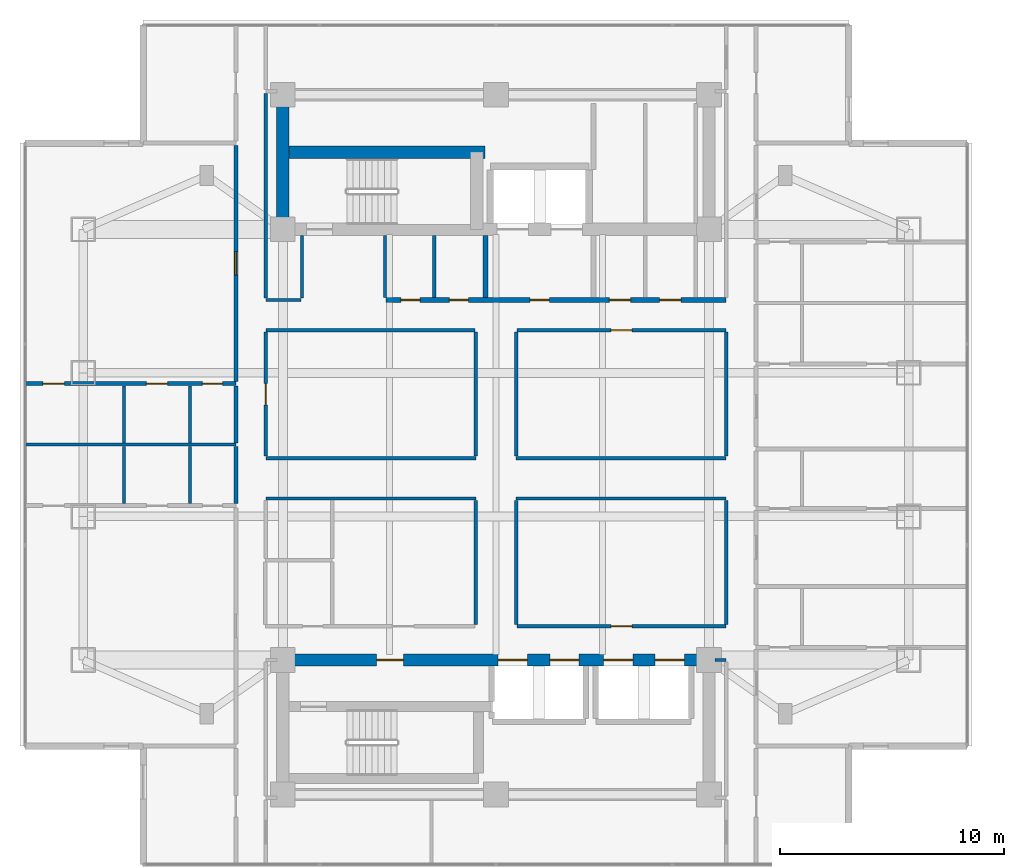
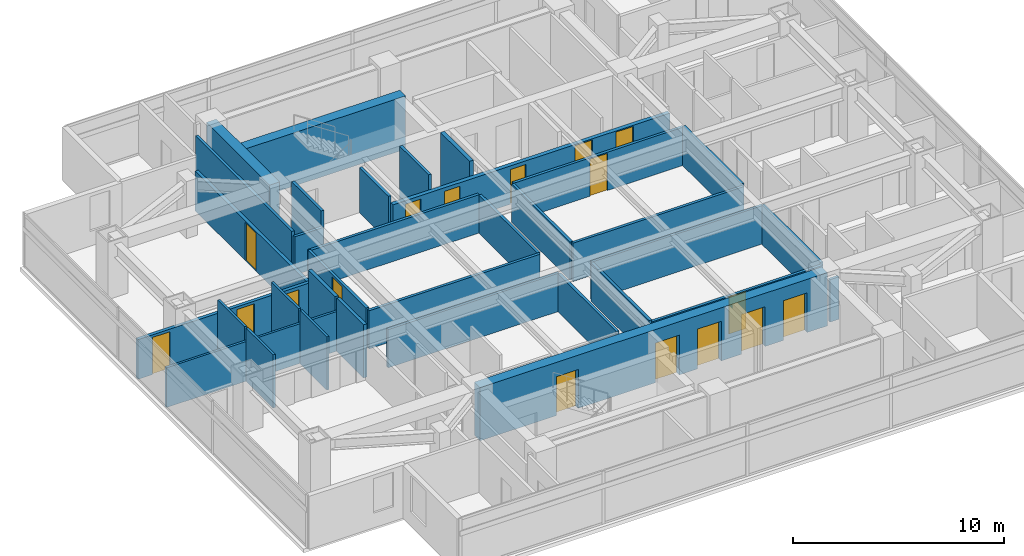
# One storey, part 14 of 25: 34 walls, 17 doors, 17 openings.
"""IFC4 building model written with IfcOpenShell, lengths in metres."""

from ifc_helpers import new_model, si_unit, direction, frame, frame_2d, origin, place, context, subcontext, project, spatial, rectangle, extrude, material, layer, layer_set, type_object, element, fill, save


model = new_model("IFC4")

# Units and contexts
model_context = context("Model", 3, precision=1e-05, world=origin(), true_north=direction((0.0, 1.0)))
body_context = subcontext(model_context, "Body", "Model", "MODEL_VIEW")
ifc_project = project(units=[si_unit("LENGTHUNIT", "METRE"), si_unit("AREAUNIT", "SQUARE_METRE"), si_unit("VOLUMEUNIT", "CUBIC_METRE"), si_unit("PLANEANGLEUNIT", "RADIAN"), si_unit("MASSUNIT", "GRAM", prefix="KILO")], contexts=[model_context])

# Site, building, storey
site_placement = place(None, origin())
site = spatial("IfcSite", under=ifc_project, at=site_placement, CompositionType="ELEMENT")
building_placement = place(site_placement, origin())
building = spatial("IfcBuilding", under=site, at=building_placement, Name="Mirazonda Arch Towers", CompositionType="ELEMENT")
storey_placement = place(building_placement, frame((0.0, 0.0, 131.300048828125)))
storey = spatial("IfcBuildingStorey", under=building, at=storey_placement, Name="L37", CompositionType="ELEMENT", Elevation=131.300048828125)

# Walls
ifc_material_1 = material(Name="Concrete C50/60", Category="concrete")
ifc_layer_1 = layer(ifc_material_1, 0.550048828125, Name="WALL-CORE-550")
ifc_layer_set_1 = layer_set([ifc_layer_1], Name="Concrete C50/60")
wall_type_1 = type_object("IfcWallType", Name="WALL-CORE-550", PredefinedType="SHEAR", material=ifc_layer_set_1)
wall_1_placement = place(storey_placement, frame((11.0, 37.60009765625, 0.0), z_axis=(0.0, 0.0, 1.0), x_axis=(0.0, 1.0, 0.0)))
element("IfcWall", 1, at=wall_1_placement, inside=storey, type_object=wall_type_1, Name="L37 T1N-W Core Shear Wall", PredefinedType="SHEAR", context=body_context, shape_type="SweptSolid", body=[
    extrude(rectangle(XDim=6.0, YDim=0.550048828125, at=frame_2d((3.0, 0.0))), origin(), (0.0, 0.0, 1.0), 3.079833984375),
])
wall_2_placement = place(storey_placement, frame((11.0, 41.04296875, 0.0), z_axis=(0.0, 0.0, 1.0), x_axis=(1.0, 0.0, 0.0)))
element("IfcWall", 2, at=wall_2_placement, inside=storey, type_object=wall_type_1, Name="L37 T1N-STN Core Shear Wall", PredefinedType="SHEAR", context=body_context, shape_type="SweptSolid", body=[
    extrude(rectangle(XDim=9.0, YDim=0.550048828125, at=frame_2d((4.5, 0.0))), origin(), (0.0, 0.0, 1.0), 3.079833984375),
])

# Wall, openings, doors
wall_3_placement = place(storey_placement, frame((11.0, 18.39990234375, 0.0), z_axis=(0.0, 0.0, 1.0), x_axis=(1.0, 0.0, 0.0)))
wall_3 = element("IfcWall", 3, at=wall_3_placement, inside=storey, type_object=wall_type_1, Name="L37 T1S-N Core Shear Wall", PredefinedType="SHEAR", context=body_context, shape_type="SweptSolid", body=[
    extrude(rectangle(XDim=19.0, YDim=0.550048828125, at=frame_2d((9.5, 0.0))), origin(), (0.0, 0.0, 1.0), 3.079833984375),
])
opening_1_placement = place(wall_3_placement, frame((4.175048828125, 0.0, 0.0)))
opening_1 = element("IfcOpeningElement", 4, at=opening_1_placement, cuts=wall_3, Name="Opening DR-117", PredefinedType="OPENING", context=body_context, shape_type="SweptSolid", body=[
    extrude(rectangle(XDim=1.199951171875, YDim=2.25, at=frame_2d((0.60009765625, 1.125))), frame((0.0, 0.284912109375, 0.0), z_axis=(0.0, -1.0, 0.0), x_axis=(1.0, 0.0, 0.0)), (0.0, 0.0, 1.0), 0.570068359375),
])
opening_2_placement = place(wall_3_placement, frame((9.60009765625, 0.0, 0.0)))
opening_2 = element("IfcOpeningElement", 5, at=opening_2_placement, cuts=wall_3, Name="Opening LD-111", PredefinedType="OPENING", context=body_context, shape_type="SweptSolid", body=[
    extrude(rectangle(XDim=1.300048828125, YDim=2.300048828125, at=frame_2d((0.64990234375, 1.14990234375))), frame((0.0, 0.284912109375, 0.0), z_axis=(0.0, -1.0, 0.0), x_axis=(1.0, 0.0, 0.0)), (0.0, 0.0, 1.0), 0.570068359375),
])
opening_3_placement = place(wall_3_placement, frame((11.89990234375, 0.0, 0.0)))
opening_3 = element("IfcOpeningElement", 6, at=opening_3_placement, cuts=wall_3, Name="Opening LD-111", PredefinedType="OPENING", context=body_context, shape_type="SweptSolid", body=[
    extrude(rectangle(XDim=1.300048828125, YDim=2.300048828125, at=frame_2d((0.64990234375, 1.14990234375))), frame((0.0, 0.284912109375, 0.0), z_axis=(0.0, -1.0, 0.0), x_axis=(1.0, 0.0, 0.0)), (0.0, 0.0, 1.0), 0.570068359375),
])
opening_4_placement = place(wall_3_placement, frame((14.300048828125, 0.0, 0.0)))
opening_4 = element("IfcOpeningElement", 7, at=opening_4_placement, cuts=wall_3, Name="Opening LD-111", PredefinedType="OPENING", context=body_context, shape_type="SweptSolid", body=[
    extrude(rectangle(XDim=1.300048828125, YDim=2.300048828125, at=frame_2d((0.64990234375, 1.14990234375))), frame((0.0, 0.284912109375, 0.0), z_axis=(0.0, -1.0, 0.0), x_axis=(1.0, 0.0, 0.0)), (0.0, 0.0, 1.0), 0.570068359375),
])
opening_5_placement = place(wall_3_placement, frame((16.60009765625, 0.0, 0.0)))
opening_5 = element("IfcOpeningElement", 8, at=opening_5_placement, cuts=wall_3, Name="Opening LD-111", PredefinedType="OPENING", context=body_context, shape_type="SweptSolid", body=[
    extrude(rectangle(XDim=1.300048828125, YDim=2.300048828125, at=frame_2d((0.64990234375, 1.14990234375))), frame((0.0, 0.284912109375, 0.0), z_axis=(0.0, -1.0, 0.0), x_axis=(1.0, 0.0, 0.0)), (0.0, 0.0, 1.0), 0.570068359375),
])
ifc_material_2 = material(Name="Architectural Brushed Steel S355", Category="steel")
door_type_1 = type_object("IfcDoorType", Name="DOOR-FFL-FD90-1200", OperationType="NOTDEFINED", PredefinedType="DOOR", material=ifc_material_2)
door_1_placement = place(opening_1_placement, origin())
door_1 = element("IfcDoor", 9, at=door_1_placement, inside=storey, type_object=door_type_1, Name="L37 South Core Stair & Lift Lobby Door", OperationType="SINGLE_SWING_LEFT", OverallHeight=2.25, OverallWidth=1.199951171875, PredefinedType="DOOR", context=body_context, shape_type="SweptSolid", body=[
    extrude(rectangle(XDim=1.199951171875, YDim=2.25, at=frame_2d((0.60009765625, 1.125))), frame((0.0, 0.02490234375, 0.0), z_axis=(0.0, -1.0, 0.0), x_axis=(1.0, 0.0, 0.0)), (0.0, 0.0, 1.0), 0.050048828125),
])
fill(opening_1, door_1)
door_type_2 = type_object("IfcDoorType", Name="DOOR-LIFT-LAND-1300", OperationType="NOTDEFINED", PredefinedType="DOOR", material=ifc_material_2)
door_2_placement = place(opening_2_placement, origin())
door_2 = element("IfcDoor", 10, at=door_2_placement, inside=storey, type_object=door_type_2, Name="L37 Lift Landing Sliding Door PL-T1M1", OperationType="DOUBLE_DOOR_SLIDING", OverallHeight=2.300048828125, OverallWidth=1.300048828125, PredefinedType="DOOR", context=body_context, shape_type="SweptSolid", body=[
    extrude(rectangle(XDim=1.300048828125, YDim=2.300048828125, at=frame_2d((0.64990234375, 1.14990234375))), frame((0.0, 0.02490234375, 0.0), z_axis=(0.0, -1.0, 0.0), x_axis=(1.0, 0.0, 0.0)), (0.0, 0.0, 1.0), 0.050048828125),
])
fill(opening_2, door_2)
door_3_placement = place(opening_3_placement, origin())
door_3 = element("IfcDoor", 11, at=door_3_placement, inside=storey, type_object=door_type_2, Name="L37 Lift Landing Sliding Door PL-T1M2", OperationType="DOUBLE_DOOR_SLIDING", OverallHeight=2.300048828125, OverallWidth=1.300048828125, PredefinedType="DOOR", context=body_context, shape_type="SweptSolid", body=[
    extrude(rectangle(XDim=1.300048828125, YDim=2.300048828125, at=frame_2d((0.64990234375, 1.14990234375))), frame((0.0, 0.02490234375, 0.0), z_axis=(0.0, -1.0, 0.0), x_axis=(1.0, 0.0, 0.0)), (0.0, 0.0, 1.0), 0.050048828125),
])
fill(opening_3, door_3)
door_4_placement = place(opening_4_placement, origin())
door_4 = element("IfcDoor", 12, at=door_4_placement, inside=storey, type_object=door_type_2, Name="L37 Lift Landing Sliding Door PL-T1H1", OperationType="DOUBLE_DOOR_SLIDING", OverallHeight=2.300048828125, OverallWidth=1.300048828125, PredefinedType="DOOR", context=body_context, shape_type="SweptSolid", body=[
    extrude(rectangle(XDim=1.300048828125, YDim=2.300048828125, at=frame_2d((0.64990234375, 1.14990234375))), frame((0.0, 0.02490234375, 0.0), z_axis=(0.0, -1.0, 0.0), x_axis=(1.0, 0.0, 0.0)), (0.0, 0.0, 1.0), 0.050048828125),
])
fill(opening_4, door_4)
door_5_placement = place(opening_5_placement, origin())
door_5 = element("IfcDoor", 13, at=door_5_placement, inside=storey, type_object=door_type_2, Name="L37 Lift Landing Sliding Door PL-T1H2", OperationType="DOUBLE_DOOR_SLIDING", OverallHeight=2.300048828125, OverallWidth=1.300048828125, PredefinedType="DOOR", context=body_context, shape_type="SweptSolid", body=[
    extrude(rectangle(XDim=1.300048828125, YDim=2.300048828125, at=frame_2d((0.64990234375, 1.14990234375))), frame((0.0, 0.02490234375, 0.0), z_axis=(0.0, -1.0, 0.0), x_axis=(1.0, 0.0, 0.0)), (0.0, 0.0, 1.0), 0.050048828125),
])
fill(opening_5, door_5)

ifc_material_3 = material(Name="Concrete C40/50", Category="concrete")
ifc_layer_2 = layer(ifc_material_3, 0.219970703125, Name="WALL-FFL-220")
ifc_layer_set_2 = layer_set([ifc_layer_2], Name="Concrete C40/50")
wall_type_2 = type_object("IfcWallType", Name="WALL-FFL-220", PredefinedType="SOLIDWALL", material=ifc_layer_set_2)
wall_4_placement = place(storey_placement, frame((15.590087890625, 34.449951171875, 0.0), z_axis=(0.0, 0.0, 1.0), x_axis=(1.0, 0.0, 0.0)))
wall_4 = element("IfcWall", 14, at=wall_4_placement, inside=storey, type_object=wall_type_2, Name="L37 Interior Partition 048", PredefinedType="SOLIDWALL", context=body_context, shape_type="SweptSolid", body=[
    extrude(rectangle(XDim=15.169921875, YDim=0.219970703125, at=frame_2d((7.5849609375, 0.0))), origin(), (0.0, 0.0, 1.0), 2.216064453125),
])
opening_6_placement = place(wall_4_placement, frame((6.43505859375, 0.0, 0.0)))
opening_6 = element("IfcOpeningElement", 15, at=opening_6_placement, cuts=wall_4, Name="Opening DR-128", PredefinedType="OPENING", context=body_context, shape_type="SweptSolid", body=[
    extrude(rectangle(XDim=0.85009765625, YDim=2.010009765625, at=frame_2d((0.425048828125, 1.0048828125))), frame((0.0, 0.119873046875, 0.0), z_axis=(0.0, -1.0, 0.0), x_axis=(1.0, 0.0, 0.0)), (0.0, 0.0, 1.0), 0.239990234375),
])
opening_7_placement = place(wall_4_placement, frame((9.9599609375, 0.0, 0.0)))
opening_7 = element("IfcOpeningElement", 16, at=opening_7_placement, cuts=wall_4, Name="Opening DR-104", PredefinedType="OPENING", context=body_context, shape_type="SweptSolid", body=[
    extrude(rectangle(XDim=0.949951171875, YDim=2.14990234375, at=frame_2d((0.47509765625, 1.074951171875))), frame((0.0, 0.119873046875, 0.0), z_axis=(0.0, -1.0, 0.0), x_axis=(1.0, 0.0, 0.0)), (0.0, 0.0, 1.0), 0.239990234375),
])
opening_8_placement = place(wall_4_placement, frame((12.2099609375, 0.0, 0.0)))
opening_8 = element("IfcOpeningElement", 17, at=opening_8_placement, cuts=wall_4, Name="Opening DR-104", PredefinedType="OPENING", context=body_context, shape_type="SweptSolid", body=[
    extrude(rectangle(XDim=0.949951171875, YDim=2.14990234375, at=frame_2d((0.47509765625, 1.074951171875))), frame((0.0, 0.119873046875, 0.0), z_axis=(0.0, -1.0, 0.0), x_axis=(1.0, 0.0, 0.0)), (0.0, 0.0, 1.0), 0.239990234375),
])
opening_9_placement = place(wall_4_placement, frame((0.675048828125, 0.0, 0.0)))
opening_9 = element("IfcOpeningElement", 18, at=opening_9_placement, cuts=wall_4, Name="Opening DR-128", PredefinedType="OPENING", context=body_context, shape_type="SweptSolid", body=[
    extrude(rectangle(XDim=0.85009765625, YDim=2.010009765625, at=frame_2d((0.425048828125, 1.0048828125))), frame((0.0, 0.119873046875, 0.0), z_axis=(0.0, -1.0, 0.0), x_axis=(1.0, 0.0, 0.0)), (0.0, 0.0, 1.0), 0.239990234375),
])
opening_10_placement = place(wall_4_placement, frame((2.8349609375, 0.0, 0.0)))
opening_10 = element("IfcOpeningElement", 19, at=opening_10_placement, cuts=wall_4, Name="Opening DR-128", PredefinedType="OPENING", context=body_context, shape_type="SweptSolid", body=[
    extrude(rectangle(XDim=0.85009765625, YDim=2.010009765625, at=frame_2d((0.425048828125, 1.0048828125))), frame((0.0, 0.119873046875, 0.0), z_axis=(0.0, -1.0, 0.0), x_axis=(1.0, 0.0, 0.0)), (0.0, 0.0, 1.0), 0.239990234375),
])
door_type_3 = type_object("IfcDoorType", Name="DOOR-RISER-FD60-850", OperationType="NOTDEFINED", PredefinedType="DOOR", material=ifc_material_2)
door_6_placement = place(opening_6_placement, origin())
door_6 = element("IfcDoor", 20, at=door_6_placement, inside=storey, type_object=door_type_3, Name="L37 Firefighting Lift Lobby Door", OperationType="SINGLE_SWING_RIGHT", OverallHeight=2.010009765625, OverallWidth=0.85009765625, PredefinedType="DOOR", context=body_context, shape_type="SweptSolid", body=[
    extrude(rectangle(XDim=0.85009765625, YDim=2.010009765625, at=frame_2d((0.425048828125, 1.0048828125))), frame((0.0, 0.02490234375, 0.0), z_axis=(0.0, -1.0, 0.0), x_axis=(1.0, 0.0, 0.0)), (0.0, 0.0, 1.0), 0.050048828125),
])
fill(opening_6, door_6)
door_7_placement = place(opening_9_placement, origin())
door_7 = element("IfcDoor", 21, at=door_7_placement, inside=storey, type_object=door_type_3, Name="L37 Electrical Room Door", OperationType="SINGLE_SWING_LEFT", OverallHeight=2.010009765625, OverallWidth=0.85009765625, PredefinedType="DOOR", context=body_context, shape_type="SweptSolid", body=[
    extrude(rectangle(XDim=0.85009765625, YDim=2.010009765625, at=frame_2d((0.425048828125, 1.0048828125))), frame((0.0, 0.02490234375, 0.0), z_axis=(0.0, -1.0, 0.0), x_axis=(1.0, 0.0, 0.0)), (0.0, 0.0, 1.0), 0.050048828125),
])
fill(opening_9, door_7)
door_8_placement = place(opening_10_placement, origin())
door_8 = element("IfcDoor", 22, at=door_8_placement, inside=storey, type_object=door_type_3, Name="L37 Cleaners & Housekeeping Store Door", OperationType="SINGLE_SWING_RIGHT", OverallHeight=2.010009765625, OverallWidth=0.85009765625, PredefinedType="DOOR", context=body_context, shape_type="SweptSolid", body=[
    extrude(rectangle(XDim=0.85009765625, YDim=2.010009765625, at=frame_2d((0.425048828125, 1.0048828125))), frame((0.0, 0.02490234375, 0.0), z_axis=(0.0, -1.0, 0.0), x_axis=(1.0, 0.0, 0.0)), (0.0, 0.0, 1.0), 0.050048828125),
])
fill(opening_10, door_8)
door_type_4 = type_object("IfcDoorType", Name="DOOR-ROOM-950", OperationType="NOTDEFINED", PredefinedType="DOOR", material=ifc_material_2)
door_9_placement = place(opening_7_placement, origin())
door_9 = element("IfcDoor", 23, at=door_9_placement, inside=storey, type_object=door_type_4, Name="L37 Executive Reading Library Door", OperationType="SINGLE_SWING_LEFT", OverallHeight=2.14990234375, OverallWidth=0.949951171875, PredefinedType="DOOR", context=body_context, shape_type="SweptSolid", body=[
    extrude(rectangle(XDim=0.949951171875, YDim=2.14990234375, at=frame_2d((0.47509765625, 1.074951171875))), frame((0.0, 0.02490234375, 0.0), z_axis=(0.0, -1.0, 0.0), x_axis=(1.0, 0.0, 0.0)), (0.0, 0.0, 1.0), 0.050048828125),
])
fill(opening_7, door_9)
door_10_placement = place(opening_8_placement, origin())
door_10 = element("IfcDoor", 24, at=door_10_placement, inside=storey, type_object=door_type_4, Name="L37 Private Quiet Study Door", OperationType="SINGLE_SWING_RIGHT", OverallHeight=2.14990234375, OverallWidth=0.949951171875, PredefinedType="DOOR", context=body_context, shape_type="SweptSolid", body=[
    extrude(rectangle(XDim=0.949951171875, YDim=2.14990234375, at=frame_2d((0.47509765625, 1.074951171875))), frame((0.0, 0.02490234375, 0.0), z_axis=(0.0, -1.0, 0.0), x_axis=(1.0, 0.0, 0.0)), (0.0, 0.0, 1.0), 0.050048828125),
])
fill(opening_8, door_10)

# Walls
wall_5_placement = place(storey_placement, frame((20.02490234375, 34.570068359375, 0.0), z_axis=(0.0, 0.0, 1.0), x_axis=(0.0, 1.0, 0.0)))
element("IfcWall", 25, at=wall_5_placement, inside=storey, type_object=wall_type_2, Name="L37 Interior Partition 088", PredefinedType="SOLIDWALL", context=body_context, shape_type="SweptSolid", body=[
    extrude(rectangle(XDim=2.760009765625, YDim=0.219970703125, at=frame_2d((1.3798828125, 0.0))), origin(), (0.0, 0.0, 1.0), 3.079833984375),
])
ifc_material_4 = material(Name="Fire-Rated Gypsum Stud Partition")
ifc_layer_3 = layer(ifc_material_4, 0.14990234375, Name="WALL-PART-CORR-150")
ifc_layer_set_3 = layer_set([ifc_layer_3], Name="Fire-Rated Gypsum Stud Partition")
wall_type_3 = type_object("IfcWallType", Name="WALL-PART-CORR-150", PredefinedType="PARTITIONING", material=ifc_layer_set_3)
wall_6_placement = place(storey_placement, frame((30.27001953125, 18.39990234375, 0.0), z_axis=(0.0, 0.0, 1.0), x_axis=(1.0, 0.0, 0.0)))
element("IfcWall", 26, at=wall_6_placement, inside=storey, type_object=wall_type_3, Name="L37 Interior Partition 013", PredefinedType="PARTITIONING", context=body_context, shape_type="SweptSolid", body=[
    extrude(rectangle(XDim=0.489990234375, YDim=0.14990234375, at=frame_2d((0.2451171875, 0.0))), origin(), (0.0, 0.0, 1.0), 2.4560546875),
])

# Wall, opening, door
wall_7_placement = place(storey_placement, frame((21.43994140625, 19.89990234375, 0.0), z_axis=(0.0, 0.0, 1.0), x_axis=(1.0, 0.0, 0.0)))
wall_7 = element("IfcWall", 27, at=wall_7_placement, inside=storey, type_object=wall_type_3, Name="L37 Interior Partition 017", PredefinedType="PARTITIONING", context=body_context, shape_type="SweptSolid", body=[
    extrude(rectangle(XDim=9.320068359375, YDim=0.14990234375, at=frame_2d((4.66015625, 0.0))), origin(), (0.0, 0.0, 1.0), 2.216064453125),
])
opening_11_placement = place(wall_7_placement, frame((4.18505859375, 0.0, 0.0)))
opening_11 = element("IfcOpeningElement", 28, at=opening_11_placement, cuts=wall_7, Name="Opening DR-104", PredefinedType="OPENING", context=body_context, shape_type="SweptSolid", body=[
    extrude(rectangle(XDim=0.949951171875, YDim=2.14990234375, at=frame_2d((0.47509765625, 1.074951171875))), frame((0.0, 0.0849609375, 0.0), z_axis=(0.0, -1.0, 0.0), x_axis=(1.0, 0.0, 0.0)), (0.0, 0.0, 1.0), 0.169921875),
])
door_11_placement = place(opening_11_placement, origin())
door_11 = element("IfcDoor", 29, at=door_11_placement, inside=storey, type_object=door_type_4, Name="L37 L37 South-East Cruciform Lounge Door", OperationType="SINGLE_SWING_RIGHT", OverallHeight=2.14990234375, OverallWidth=0.949951171875, PredefinedType="DOOR", context=body_context, shape_type="SweptSolid", body=[
    extrude(rectangle(XDim=0.949951171875, YDim=2.14990234375, at=frame_2d((0.47509765625, 1.074951171875))), frame((0.0, 0.02490234375, 0.0), z_axis=(0.0, -1.0, 0.0), x_axis=(1.0, 0.0, 0.0)), (0.0, 0.0, 1.0), 0.050048828125),
])
fill(opening_11, door_11)

# Walls
for number, where, z_axis, x_axis, name in (
    (30, (10.239990234375, 25.60009765625, 0.0), (0.0, 0.0, 1.0), (1.0, 0.0, 0.0), "L37 Interior Partition 029"),
    (31, (21.39990234375, 25.60009765625, 0.0), (0.0, 0.0, 1.0), (1.0, 0.0, 0.0), "L37 Interior Partition 030"),
    (32, (10.239990234375, 27.39990234375, 0.0), (0.0, 0.0, 1.0), (1.0, 0.0, 0.0), "L37 Interior Partition 032"),
    (33, (21.39990234375, 27.39990234375, 0.0), (0.0, 0.0, 1.0), (1.0, 0.0, 0.0), "L37 Interior Partition 033"),
):
    element("IfcWall", number, at=place(storey_placement, frame(where, z_axis=z_axis, x_axis=x_axis)), inside=storey, type_object=wall_type_3, Name=name, PredefinedType="PARTITIONING", context=body_context, shape_type="SweptSolid", body=[
        extrude(rectangle(XDim=9.360107421875, YDim=0.14990234375, at=frame_2d((4.68017578125, 0.0))), origin(), (0.0, 0.0, 1.0), 2.216064453125),
    ])
wall_8_placement = place(storey_placement, frame((10.239990234375, 33.10009765625, 0.0), z_axis=(0.0, 0.0, 1.0), x_axis=(1.0, 0.0, 0.0)))
element("IfcWall", 34, at=wall_8_placement, inside=storey, type_object=wall_type_3, Name="L37 Interior Partition 044", PredefinedType="PARTITIONING", context=body_context, shape_type="SweptSolid", body=[
    extrude(rectangle(XDim=9.320068359375, YDim=0.14990234375, at=frame_2d((4.66015625, 0.0))), origin(), (0.0, 0.0, 1.0), 2.216064453125),
])

# Wall, opening, door
wall_9_placement = place(storey_placement, frame((21.43994140625, 33.10009765625, 0.0), z_axis=(0.0, 0.0, 1.0), x_axis=(1.0, 0.0, 0.0)))
wall_9 = element("IfcWall", 35, at=wall_9_placement, inside=storey, type_object=wall_type_3, Name="L37 Interior Partition 045", PredefinedType="PARTITIONING", context=body_context, shape_type="SweptSolid", body=[
    extrude(rectangle(XDim=9.320068359375, YDim=0.14990234375, at=frame_2d((4.66015625, 0.0))), origin(), (0.0, 0.0, 1.0), 2.216064453125),
])
opening_12_placement = place(wall_9_placement, frame((4.18505859375, 0.0, 0.0)))
opening_12 = element("IfcOpeningElement", 36, at=opening_12_placement, cuts=wall_9, Name="Opening DR-104", PredefinedType="OPENING", context=body_context, shape_type="SweptSolid", body=[
    extrude(rectangle(XDim=0.949951171875, YDim=2.14990234375, at=frame_2d((0.47509765625, 1.074951171875))), frame((0.0, 0.0849609375, 0.0), z_axis=(0.0, -1.0, 0.0), x_axis=(1.0, 0.0, 0.0)), (0.0, 0.0, 1.0), 0.169921875),
])
door_12_placement = place(opening_12_placement, origin())
door_12 = element("IfcDoor", 37, at=door_12_placement, inside=storey, type_object=door_type_4, Name="L37 L37 North-East Cruciform Study Door", OperationType="SINGLE_SWING_LEFT", OverallHeight=2.14990234375, OverallWidth=0.949951171875, PredefinedType="DOOR", context=body_context, shape_type="SweptSolid", body=[
    extrude(rectangle(XDim=0.949951171875, YDim=2.14990234375, at=frame_2d((0.47509765625, 1.074951171875))), frame((0.0, 0.02490234375, 0.0), z_axis=(0.0, -1.0, 0.0), x_axis=(1.0, 0.0, 0.0)), (0.0, 0.0, 1.0), 0.050048828125),
])
fill(opening_12, door_12)

# Wall
wall_10_placement = place(storey_placement, frame((10.239990234375, 34.449951171875, 0.0), z_axis=(0.0, 0.0, 1.0), x_axis=(1.0, 0.0, 0.0)))
element("IfcWall", 38, at=wall_10_placement, inside=storey, type_object=wall_type_3, Name="L37 Interior Partition 047", PredefinedType="PARTITIONING", context=body_context, shape_type="SweptSolid", body=[
    extrude(rectangle(XDim=1.56005859375, YDim=0.14990234375, at=frame_2d((0.780029296875, 0.0))), origin(), (0.0, 0.0, 1.0), 2.216064453125),
])

# Wall, opening, door
wall_11_placement = place(storey_placement, frame((10.239990234375, 27.485107421875, 0.0), z_axis=(0.0, 0.0, 1.0), x_axis=(0.0, 1.0, 0.0)))
wall_11 = element("IfcWall", 39, at=wall_11_placement, inside=storey, type_object=wall_type_3, Name="L37 Interior Partition 076", PredefinedType="PARTITIONING", context=body_context, shape_type="SweptSolid", body=[
    extrude(rectangle(XDim=5.52978515625, YDim=0.14990234375, at=frame_2d((2.764892578125, 0.0))), origin(), (0.0, 0.0, 1.0), 2.299072265625),
])
opening_13_placement = place(wall_11_placement, frame((2.2900390625, 0.0, 0.0)))
opening_13 = element("IfcOpeningElement", 40, at=opening_13_placement, cuts=wall_11, Name="Opening DR-104", PredefinedType="OPENING", context=body_context, shape_type="SweptSolid", body=[
    extrude(rectangle(XDim=0.949951171875, YDim=2.14990234375, at=frame_2d((0.47509765625, 1.074951171875))), frame((0.0, 0.0849609375, 0.0), z_axis=(0.0, -1.0, 0.0), x_axis=(1.0, 0.0, 0.0)), (0.0, 0.0, 1.0), 0.169921875),
])
door_13_placement = place(opening_13_placement, origin())
door_13 = element("IfcDoor", 41, at=door_13_placement, inside=storey, type_object=door_type_4, Name="L37 L37 West Courtyard Reading Salon Door", OperationType="SINGLE_SWING_LEFT", OverallHeight=2.14990234375, OverallWidth=0.949951171875, PredefinedType="DOOR", context=body_context, shape_type="SweptSolid", body=[
    extrude(rectangle(XDim=0.949951171875, YDim=2.14990234375, at=frame_2d((0.47509765625, 1.074951171875))), frame((0.0, 0.02490234375, 0.0), z_axis=(0.0, -1.0, 0.0), x_axis=(1.0, 0.0, 0.0)), (0.0, 0.0, 1.0), 0.050048828125),
])
fill(opening_13, door_13)

# Walls
wall_12_placement = place(storey_placement, frame((10.239990234375, 34.534912109375, 0.0), z_axis=(0.0, 0.0, 1.0), x_axis=(0.0, 1.0, 0.0)))
element("IfcWall", 42, at=wall_12_placement, inside=storey, type_object=wall_type_3, Name="L37 Interior Partition 077", PredefinedType="PARTITIONING", context=body_context, shape_type="SweptSolid", body=[
    extrude(rectangle(XDim=9.130126953125, YDim=0.14990234375, at=frame_2d((4.56494140625, 0.0))), origin(), (0.0, 0.0, 1.0), 2.4560546875),
])
wall_13_placement = place(storey_placement, frame((11.85009765625, 34.534912109375, 0.0), z_axis=(0.0, 0.0, 1.0), x_axis=(0.0, 1.0, 0.0)))
element("IfcWall", 43, at=wall_13_placement, inside=storey, type_object=wall_type_3, Name="L37 Interior Partition 079", PredefinedType="PARTITIONING", context=body_context, shape_type="SweptSolid", body=[
    extrude(rectangle(XDim=2.795166015625, YDim=0.14990234375, at=frame_2d((1.3974609375, 0.0))), origin(), (0.0, 0.0, 1.0), 3.079833984375),
])
wall_14_placement = place(storey_placement, frame((15.550048828125, 34.570068359375, 0.0), z_axis=(0.0, 0.0, 1.0), x_axis=(0.0, 1.0, 0.0)))
element("IfcWall", 44, at=wall_14_placement, inside=storey, type_object=wall_type_3, Name="L37 Interior Partition 082", PredefinedType="PARTITIONING", context=body_context, shape_type="SweptSolid", body=[
    extrude(rectangle(XDim=2.760009765625, YDim=0.14990234375, at=frame_2d((1.3798828125, 0.0))), origin(), (0.0, 0.0, 1.0), 2.60888671875),
])
wall_15_placement = place(storey_placement, frame((17.75, 34.570068359375, 0.0), z_axis=(0.0, 0.0, 1.0), x_axis=(0.0, 1.0, 0.0)))
element("IfcWall", 45, at=wall_15_placement, inside=storey, type_object=wall_type_3, Name="L37 Interior Partition 084", PredefinedType="PARTITIONING", context=body_context, shape_type="SweptSolid", body=[
    extrude(rectangle(XDim=2.760009765625, YDim=0.14990234375, at=frame_2d((1.3798828125, 0.0))), origin(), (0.0, 0.0, 1.0), 3.079833984375),
])
for number, where, z_axis, x_axis, name in (
    (46, (19.60009765625, 19.985107421875, 0.0), (0.0, 0.0, 1.0), (0.0, 1.0, 0.0), "L37 Interior Partition 085"),
    (47, (19.60009765625, 27.485107421875, 0.0), (0.0, 0.0, 1.0), (0.0, 1.0, 0.0), "L37 Interior Partition 086"),
    (48, (21.39990234375, 19.985107421875, 0.0), (0.0, 0.0, 1.0), (0.0, 1.0, 0.0), "L37 Interior Partition 092"),
    (49, (21.39990234375, 27.485107421875, 0.0), (0.0, 0.0, 1.0), (0.0, 1.0, 0.0), "L37 Interior Partition 093"),
):
    element("IfcWall", number, at=place(storey_placement, frame(where, z_axis=z_axis, x_axis=x_axis)), inside=storey, type_object=wall_type_3, Name=name, PredefinedType="PARTITIONING", context=body_context, shape_type="SweptSolid", body=[
        extrude(rectangle(XDim=5.52978515625, YDim=0.14990234375, at=frame_2d((2.764892578125, 0.0))), origin(), (0.0, 0.0, 1.0), 2.216064453125),
    ])
for number, where, z_axis, x_axis, name in (
    (50, (30.760009765625, 19.985107421875, 0.0), (0.0, 0.0, 1.0), (0.0, 1.0, 0.0), "L37 Interior Partition 106"),
    (51, (30.760009765625, 27.485107421875, 0.0), (0.0, 0.0, 1.0), (0.0, 1.0, 0.0), "L37 Interior Partition 107"),
):
    element("IfcWall", number, at=place(storey_placement, frame(where, z_axis=z_axis, x_axis=x_axis)), inside=storey, type_object=wall_type_3, Name=name, PredefinedType="PARTITIONING", context=body_context, shape_type="SweptSolid", body=[
        extrude(rectangle(XDim=5.52978515625, YDim=0.14990234375, at=frame_2d((2.764892578125, 0.0))), origin(), (0.0, 0.0, 1.0), 2.299072265625),
    ])

# Wall, openings, doors
ifc_material_5 = material(Name="Fire-Rated Gypsum Twin-Stud Assembly")
ifc_layer_4 = layer(ifc_material_5, 0.179931640625, Name="WALL-PART-DEMISE-180")
ifc_layer_set_4 = layer_set([ifc_layer_4], Name="Fire-Rated Gypsum Twin-Stud Assembly")
wall_type_4 = type_object("IfcWallType", Name="WALL-PART-DEMISE-180", PredefinedType="PARTITIONING", material=ifc_layer_set_4)
wall_16_placement = place(storey_placement, frame((-0.5, 30.719970703125, 0.0), z_axis=(0.0, 0.0, 1.0), x_axis=(1.0, 0.0, 0.0)))
wall_16 = element("IfcWall", 52, at=wall_16_placement, inside=storey, type_object=wall_type_4, Name="L37 Interior Partition 039", PredefinedType="PARTITIONING", context=body_context, shape_type="SweptSolid", body=[
    extrude(rectangle(XDim=9.39990234375, YDim=0.179931640625, at=frame_2d((4.699951171875, 0.0))), origin(), (0.0, 0.0, 1.0), 2.299072265625),
])
opening_14_placement = place(wall_16_placement, frame((0.802978515625, 0.0, 0.0)))
opening_14 = element("IfcOpeningElement", 53, at=opening_14_placement, cuts=wall_16, Name="Opening DR-104", PredefinedType="OPENING", context=body_context, shape_type="SweptSolid", body=[
    extrude(rectangle(XDim=0.949951171875, YDim=2.14990234375, at=frame_2d((0.47509765625, 1.074951171875))), frame((0.0, 0.099853515625, 0.0), z_axis=(0.0, -1.0, 0.0), x_axis=(1.0, 0.0, 0.0)), (0.0, 0.0, 1.0), 0.199951171875),
])
opening_15_placement = place(wall_16_placement, frame((5.4130859375, 0.0, 0.0)))
opening_15 = element("IfcOpeningElement", 54, at=opening_15_placement, cuts=wall_16, Name="Opening DR-104", PredefinedType="OPENING", context=body_context, shape_type="SweptSolid", body=[
    extrude(rectangle(XDim=0.949951171875, YDim=2.14990234375, at=frame_2d((0.47509765625, 1.074951171875))), frame((0.0, 0.099853515625, 0.0), z_axis=(0.0, -1.0, 0.0), x_axis=(1.0, 0.0, 0.0)), (0.0, 0.0, 1.0), 0.199951171875),
])
opening_16_placement = place(wall_16_placement, frame((7.909912109375, 0.0, 0.0)))
opening_16 = element("IfcOpeningElement", 55, at=opening_16_placement, cuts=wall_16, Name="Opening DR-120", PredefinedType="OPENING", context=body_context, shape_type="SweptSolid", body=[
    extrude(rectangle(XDim=0.89990234375, YDim=2.10009765625, at=frame_2d((0.449951171875, 1.050048828125))), frame((0.0, 0.099853515625, 0.0), z_axis=(0.0, -1.0, 0.0), x_axis=(1.0, 0.0, 0.0)), (0.0, 0.0, 1.0), 0.199951171875),
])
door_14_placement = place(opening_14_placement, origin())
door_14 = element("IfcDoor", 56, at=door_14_placement, inside=storey, type_object=door_type_4, Name="L37 Residence 2 Principal Bedroom Door", OperationType="SINGLE_SWING_LEFT", OverallHeight=2.14990234375, OverallWidth=0.949951171875, PredefinedType="DOOR", context=body_context, shape_type="SweptSolid", body=[
    extrude(rectangle(XDim=0.949951171875, YDim=2.14990234375, at=frame_2d((0.47509765625, 1.074951171875))), frame((0.0, 0.02490234375, 0.0), z_axis=(0.0, -1.0, 0.0), x_axis=(1.0, 0.0, 0.0)), (0.0, 0.0, 1.0), 0.050048828125),
])
fill(opening_14, door_14)
door_15_placement = place(opening_15_placement, origin())
door_15 = element("IfcDoor", 57, at=door_15_placement, inside=storey, type_object=door_type_4, Name="L37 Residence 2 Fitted Kitchen Door", OperationType="SINGLE_SWING_RIGHT", OverallHeight=2.14990234375, OverallWidth=0.949951171875, PredefinedType="DOOR", context=body_context, shape_type="SweptSolid", body=[
    extrude(rectangle(XDim=0.949951171875, YDim=2.14990234375, at=frame_2d((0.47509765625, 1.074951171875))), frame((0.0, 0.02490234375, 0.0), z_axis=(0.0, -1.0, 0.0), x_axis=(1.0, 0.0, 0.0)), (0.0, 0.0, 1.0), 0.050048828125),
])
fill(opening_15, door_15)
door_type_5 = type_object("IfcDoorType", Name="DOOR-WC-900", OperationType="NOTDEFINED", PredefinedType="DOOR", material=ifc_material_2)
door_16_placement = place(opening_16_placement, origin())
door_16 = element("IfcDoor", 58, at=door_16_placement, inside=storey, type_object=door_type_5, Name="L37 Residence 2 Bathroom Door", OperationType="SINGLE_SWING_LEFT", OverallHeight=2.10009765625, OverallWidth=0.89990234375, PredefinedType="DOOR", context=body_context, shape_type="SweptSolid", body=[
    extrude(rectangle(XDim=0.89990234375, YDim=2.10009765625, at=frame_2d((0.449951171875, 1.050048828125))), frame((0.0, 0.02490234375, 0.0), z_axis=(0.0, -1.0, 0.0), x_axis=(1.0, 0.0, 0.0)), (0.0, 0.0, 1.0), 0.050048828125),
])
fill(opening_16, door_16)

# Walls
for number, where, z_axis, x_axis, name in (
    (59, (8.89990234375, 25.3798828125, 0.0), (0.0, 0.0, 1.0), (0.0, 1.0, 0.0), "L37 Interior Partition 068"),
    (60, (8.89990234375, 28.072509765625, 0.0), (0.0, 0.0, 1.0), (0.0, 1.0, 0.0), "L37 Interior Partition 069"),
):
    element("IfcWall", number, at=place(storey_placement, frame(where, z_axis=z_axis, x_axis=x_axis)), inside=storey, type_object=wall_type_4, Name=name, PredefinedType="PARTITIONING", context=body_context, shape_type="SweptSolid", body=[
        extrude(rectangle(XDim=2.547607421875, YDim=0.179931640625, at=frame_2d((1.27392578125, 0.0))), origin(), (0.0, 0.0, 1.0), 3.079833984375),
    ])

# Wall, opening, door
wall_17_placement = place(storey_placement, frame((8.89990234375, 30.820068359375, 0.0), z_axis=(0.0, 0.0, 1.0), x_axis=(0.0, 1.0, 0.0)))
wall_17 = element("IfcWall", 61, at=wall_17_placement, inside=storey, type_object=wall_type_4, Name="L37 Interior Partition 070", PredefinedType="PARTITIONING", context=body_context, shape_type="SweptSolid", body=[
    extrude(rectangle(XDim=10.52197265625, YDim=0.179931640625, at=frame_2d((5.260986328125, 0.0))), origin(), (0.0, 0.0, 1.0), 2.299072265625),
])
opening_17_placement = place(wall_17_placement, frame((4.736083984375, 0.0, 0.0)))
opening_17 = element("IfcOpeningElement", 62, at=opening_17_placement, cuts=wall_17, Name="Opening DR-121", PredefinedType="OPENING", context=body_context, shape_type="SweptSolid", body=[
    extrude(rectangle(XDim=1.050048828125, YDim=2.199951171875, at=frame_2d((0.52490234375, 1.10009765625))), frame((0.0, 0.099853515625, 0.0), z_axis=(0.0, -1.0, 0.0), x_axis=(1.0, 0.0, 0.0)), (0.0, 0.0, 1.0), 0.199951171875),
])
door_type_6 = type_object("IfcDoorType", Name="DOOR-SUITE-FD60-1050", OperationType="NOTDEFINED", PredefinedType="DOOR", material=ifc_material_2)
door_17_placement = place(opening_17_placement, origin())
door_17 = element("IfcDoor", 63, at=door_17_placement, inside=storey, type_object=door_type_6, Name="L37 Penthouse Residence 2 Living & Dining Salon Door", OperationType="SINGLE_SWING_RIGHT", OverallHeight=2.199951171875, OverallWidth=1.050048828125, PredefinedType="DOOR", context=body_context, shape_type="SweptSolid", body=[
    extrude(rectangle(XDim=1.050048828125, YDim=2.199951171875, at=frame_2d((0.52490234375, 1.10009765625))), frame((0.0, 0.02490234375, 0.0), z_axis=(0.0, -1.0, 0.0), x_axis=(1.0, 0.0, 0.0)), (0.0, 0.0, 1.0), 0.050048828125),
])
fill(opening_17, door_17)

# Walls
ifc_material_6 = material(Name="Acoustic Fire-Rated Gypsum Partition")
ifc_layer_5 = layer(ifc_material_6, 0.125, Name="WALL-PART-UNIT-125")
ifc_layer_set_5 = layer_set([ifc_layer_5], Name="Acoustic Fire-Rated Gypsum Partition")
wall_type_5 = type_object("IfcWallType", Name="WALL-PART-UNIT-125", PredefinedType="PARTITIONING", material=ifc_layer_set_5)
wall_18_placement = place(storey_placement, frame((-0.5, 28.0, 0.0), z_axis=(0.0, 0.0, 1.0), x_axis=(1.0, 0.0, 0.0)))
element("IfcWall", 64, at=wall_18_placement, inside=storey, type_object=wall_type_5, Name="L37 Interior Partition 036", PredefinedType="PARTITIONING", context=body_context, shape_type="SweptSolid", body=[
    extrude(rectangle(XDim=9.39990234375, YDim=0.125, at=frame_2d((4.699951171875, 0.0))), origin(), (0.0, 0.0, 1.0), 2.299072265625),
])
for number, where, z_axis, x_axis, name in (
    (65, (3.916015625, 25.3798828125, 0.0), (0.0, 0.0, 1.0), (0.0, 1.0, 0.0), "L37 Interior Partition 062"),
    (66, (3.916015625, 28.072509765625, 0.0), (0.0, 0.0, 1.0), (0.0, 1.0, 0.0), "L37 Interior Partition 063"),
    (67, (6.860107421875, 25.3798828125, 0.0), (0.0, 0.0, 1.0), (0.0, 1.0, 0.0), "L37 Interior Partition 064"),
    (68, (6.860107421875, 28.072509765625, 0.0), (0.0, 0.0, 1.0), (0.0, 1.0, 0.0), "L37 Interior Partition 065"),
):
    element("IfcWall", number, at=place(storey_placement, frame(where, z_axis=z_axis, x_axis=x_axis)), inside=storey, type_object=wall_type_5, Name=name, PredefinedType="PARTITIONING", context=body_context, shape_type="SweptSolid", body=[
        extrude(rectangle(XDim=2.547607421875, YDim=0.125, at=frame_2d((1.27392578125, 0.0))), origin(), (0.0, 0.0, 1.0), 3.079833984375),
    ])

save(model, "model.ifc")
